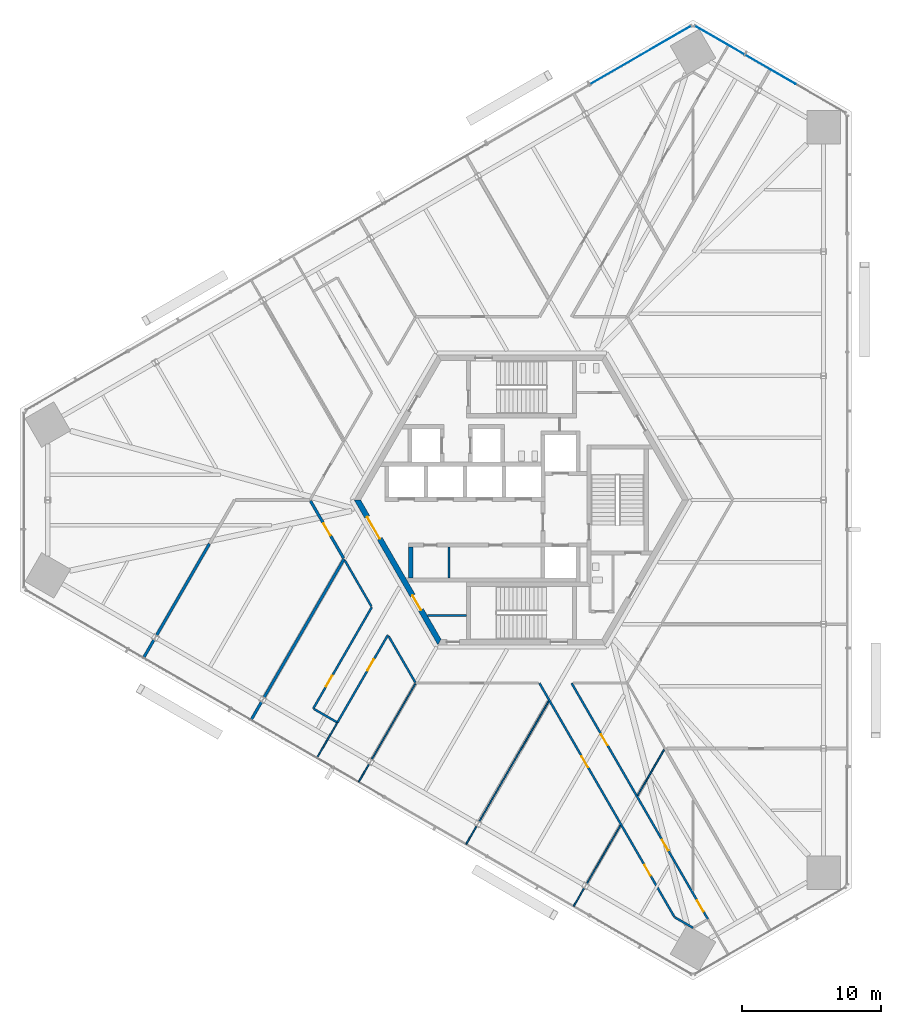
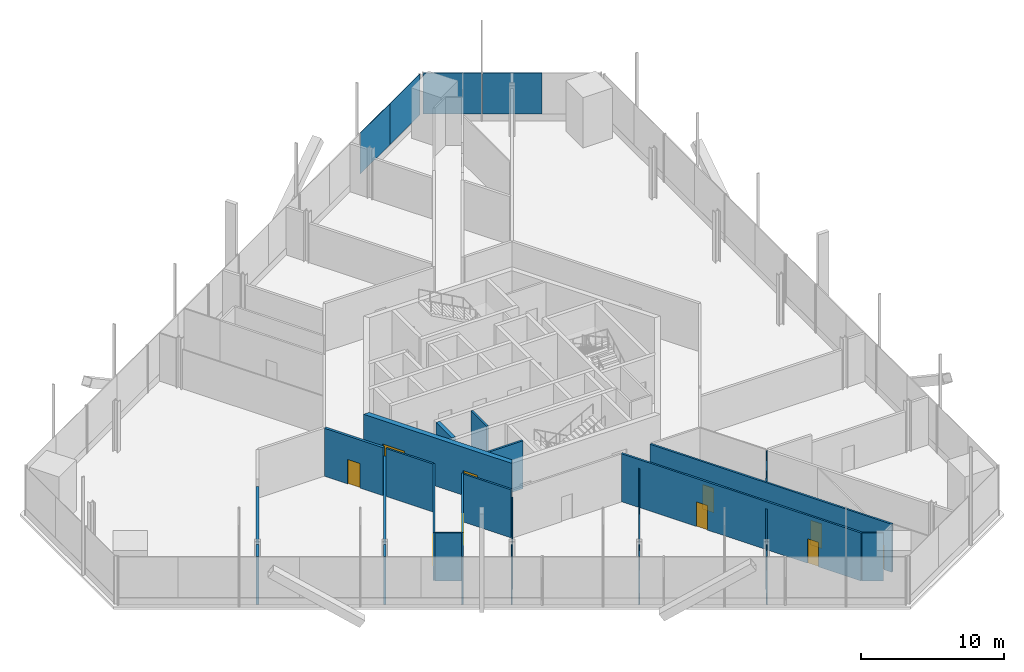
# One storey, part 10 of 19: 26 walls, 10 doors, 4 plates, 10 openings, 2 elements without a shape of their own.
"""IFC4 building model written with IfcOpenShell, lengths in metres."""

from ifc_helpers import new_model, si_unit, direction, frame, frame_2d, origin, origin_2d, place, context, subcontext, project, spatial, polyline, rectangle, outline, extrude, source, transform, mapped, material, layer, layer_set, type_object, element, fill, aggregate, save


model = new_model("IFC4")

# Units and contexts
model_context = context("Model", 3, precision=1e-05, world=origin(), true_north=direction((0.0, 1.0)))
body_context = subcontext(model_context, "Body", "Model", "MODEL_VIEW")
ifc_project = project(units=[si_unit("LENGTHUNIT", "METRE"), si_unit("AREAUNIT", "SQUARE_METRE"), si_unit("VOLUMEUNIT", "CUBIC_METRE"), si_unit("PLANEANGLEUNIT", "RADIAN"), si_unit("MASSUNIT", "GRAM", prefix="KILO")], contexts=[model_context])

# Site, building, storey
site_placement = place(None, origin())
site = spatial("IfcSite", under=ifc_project, at=site_placement, CompositionType="ELEMENT")
building_placement = place(site_placement, origin())
building = spatial("IfcBuilding", under=site, at=building_placement, Name="Triune Harvest Tower", CompositionType="ELEMENT")
storey_placement = place(building_placement, frame((0.0, 0.0, 41.800048828125)))
storey = spatial("IfcBuildingStorey", under=building, at=storey_placement, Name="L09", CompositionType="ELEMENT", Elevation=41.800048828125)

# Curtain wall, plates
ifc_material_1 = material(Name="Aluminium bronze anodised", Category="aluminium")
curtain_wall_type = type_object("IfcCurtainWallType", Name="CW-3 Farm floor curtain wall", PredefinedType="NOTDEFINED", material=ifc_material_1)
curtain_wall_1_placement = place(storey_placement, origin())
curtain_wall_1 = element("IfcCurtainWall", 1, at=curtain_wall_1_placement, inside=storey, type_object=curtain_wall_type, Name="CW-3 B1-F2 L09 run 1")
ifc_material_2 = material(Name="Glass", Category="glass")
ifc_layer_1 = layer(ifc_material_2, 0.035888671875)
ifc_layer_set_1 = layer_set([ifc_layer_1], Name="Glass")
plate_type = type_object("IfcPlateType", Name="GL-3 panel 36", PredefinedType="CURTAIN_PANEL", material=ifc_layer_set_1)
shared_shape_1 = source(origin(), body_context, "Body", "SweptSolid", [
    extrude(rectangle(XDim=4.157958984375, YDim=0.035888671875, at=origin_2d()), origin(), (0.0, 0.0, 1.0), 3.5),
])
plate_1_placement = place(storey_placement, frame((17.857666015625, 30.89013671875, 0.599853515625), z_axis=(0.0, 0.0, 1.0), x_axis=(-0.866026145592, 0.499998715149, 0.0)))
plate_1 = element("IfcPlate", 2, at=plate_1_placement, type_object=plate_type, Name="CW-3 panel B1-F2 1.2", PredefinedType="CURTAIN_PANEL", context=body_context, shape_type="MappedRepresentation", body=[
    mapped(shared_shape_1, transform((0.0, 0.0, 0.0), scale=1.0)),
])
shared_shape_2 = source(origin(), body_context, "Body", "SweptSolid", [
    extrude(rectangle(XDim=4.077880859375, YDim=0.035888671875, at=origin_2d()), origin(), (0.0, 0.0, 1.0), 3.5),
])
plate_2_placement = place(storey_placement, frame((14.22216796875, 32.989013671875, 0.599853515625), z_axis=(0.0, 0.0, 1.0), x_axis=(-0.866026145592, 0.499998715149, 0.0)))
plate_2 = element("IfcPlate", 3, at=plate_2_placement, type_object=plate_type, Name="CW-3 panel B1-F2 1.3", PredefinedType="CURTAIN_PANEL", context=body_context, shape_type="MappedRepresentation", body=[
    mapped(shared_shape_2, transform((0.0, 0.0, 0.0), scale=1.0)),
])
aggregate(curtain_wall_1, [plate_1, plate_2])

curtain_wall_2_placement = place(storey_placement, origin())
curtain_wall_2 = element("IfcCurtainWall", 4, at=curtain_wall_2_placement, inside=storey, type_object=curtain_wall_type, Name="CW-3 B1-F3 L09 run 1")
shared_shape_3 = source(origin(), body_context, "Body", "SweptSolid", [
    extrude(rectangle(XDim=4.168701171875, YDim=0.035888671875, at=origin_2d()), origin(), (0.0, 0.0, 1.0), 3.5),
])
plate_3_placement = place(storey_placement, frame((10.356689453125, 32.96630859375, 0.599853515625), z_axis=(0.0, 0.0, 1.0), x_axis=(-0.866028152342, -0.499995239328, 0.0)))
plate_3 = element("IfcPlate", 5, at=plate_3_placement, type_object=plate_type, Name="CW-3 panel B1-F3 1.1", PredefinedType="CURTAIN_PANEL", context=body_context, shape_type="MappedRepresentation", body=[
    mapped(shared_shape_3, transform((0.0, 0.0, 0.0), scale=1.0)),
])
plate_4_placement = place(storey_placement, frame((6.74658203125, 30.882080078125, 0.599853515625), z_axis=(0.0, 0.0, 1.0), x_axis=(-0.866028152342, -0.499995239328, 0.0)))
plate_4 = element("IfcPlate", 6, at=plate_4_placement, type_object=plate_type, Name="CW-3 panel B1-F3 1.2", PredefinedType="CURTAIN_PANEL", context=body_context, shape_type="MappedRepresentation", body=[
    mapped(shared_shape_3, transform((0.0, 0.0, 0.0), scale=1.0)),
])
aggregate(curtain_wall_2, [plate_3, plate_4])

# Walls
ifc_material_3 = material(Name="Gypsum board on steel studs", Category="steel")
ifc_layer_2 = layer(ifc_material_3, 0.14990234375)
ifc_layer_set_2 = layer_set([ifc_layer_2], Name="Gypsum board on steel studs")
wall_type_1 = type_object("IfcWallType", Name="Fire Partition 150 mm", PredefinedType="PARTITIONING", material=ifc_layer_set_2)
wall_1_placement = place(storey_placement, frame((-12.665283203125, -4.347900390625, 0.0), z_axis=(0.0, 0.0, 1.0), x_axis=(0.500009333805, -0.866020014843, 0.0)))
element("IfcWall", 7, at=wall_1_placement, inside=storey, type_object=wall_type_1, Name="Partition L09 002", PredefinedType="PARTITIONING", context=body_context, shape_type="SweptSolid", body=[
    extrude(rectangle(XDim=3.80615234375, YDim=0.14990234375, at=frame_2d((1.903076171875, 0.0))), origin(), (0.0, 0.0, 1.0), 4.099853515625),
])
wall_2_placement = place(storey_placement, frame((-9.52734375, -9.78271484375, 0.0), z_axis=(0.0, 0.0, 1.0), x_axis=(0.500013098431, -0.86601784127, 0.0)))
element("IfcWall", 8, at=wall_2_placement, inside=storey, type_object=wall_type_1, Name="Partition L09 003", PredefinedType="PARTITIONING", context=body_context, shape_type="SweptSolid", body=[
    extrude(rectangle(XDim=3.82958984375, YDim=0.14990234375, at=frame_2d((1.914794921875, 0.0))), origin(), (0.0, 0.0, 1.0), 4.099853515625),
])

# Wall, openings, doors
wall_3_placement = place(storey_placement, frame((1.288818359375, -13.142333984375, 0.0), z_axis=(0.0, 0.0, 1.0), x_axis=(0.500002274473, -0.866024090613, 0.0)))
wall_3 = element("IfcWall", 9, at=wall_3_placement, inside=storey, type_object=wall_type_1, Name="Partition L09 008", PredefinedType="PARTITIONING", context=body_context, shape_type="SweptSolid", body=[
    extrude(rectangle(XDim=19.384765625, YDim=0.14990234375, at=frame_2d((9.6923828125, 0.0))), origin(), (0.0, 0.0, 1.0), 4.099853515625),
])
opening_1_placement = place(wall_3_placement, frame((6.061767578125, 0.0, 0.0)))
opening_1 = element("IfcOpeningElement", 10, at=opening_1_placement, cuts=wall_3, Name="Opening L09-017", PredefinedType="OPENING", context=body_context, shape_type="SweptSolid", body=[
    extrude(rectangle(XDim=0.89990234375, YDim=2.10009765625, at=frame_2d((0.449951171875, 1.050048828125))), frame((0.0, 0.0849609375, 0.0), z_axis=(0.0, -1.0, 0.0), x_axis=(1.0, 0.0, 0.0)), (0.0, 0.0, 1.0), 0.169921875),
])
opening_2_placement = place(wall_3_placement, frame((15.05029296875, 0.0, 0.0)))
opening_2 = element("IfcOpeningElement", 11, at=opening_2_placement, cuts=wall_3, Name="Opening L09-019", PredefinedType="OPENING", context=body_context, shape_type="SweptSolid", body=[
    extrude(rectangle(XDim=0.89990234375, YDim=2.10009765625, at=frame_2d((0.449951171875, 1.050048828125))), frame((0.0, 0.0849609375, 0.0), z_axis=(0.0, -1.0, 0.0), x_axis=(1.0, 0.0, 0.0)), (0.0, 0.0, 1.0), 0.169921875),
])
ifc_material_4 = material(Name="Timber and steel door set", Category="steel")
door_type_1 = type_object("IfcDoorType", Name="Single leaf door FD30 left hand 900 x 2100", OperationType="SINGLE_SWING_LEFT", PredefinedType="DOOR", material=ifc_material_4)
door_1_placement = place(opening_2_placement, origin())
door_1 = element("IfcDoor", 12, at=door_1_placement, inside=storey, type_object=door_type_1, Name="Door L09-019 Laboratory 09.19", OperationType="SINGLE_SWING_LEFT", OverallHeight=2.10009765625, OverallWidth=0.89990234375, PredefinedType="DOOR", context=body_context, shape_type="SweptSolid", body=[
    extrude(rectangle(XDim=0.89990234375, YDim=2.10009765625, at=frame_2d((0.449951171875, 1.050048828125))), frame((0.0, 0.02490234375, 0.0), z_axis=(0.0, -1.0, 0.0), x_axis=(1.0, 0.0, 0.0)), (0.0, 0.0, 1.0), 0.050048828125),
])
fill(opening_2, door_1)
ifc_material_5 = material(Name="Timber and steel door set", Category="steel")
door_type_2 = type_object("IfcDoorType", Name="Single leaf door FD30 right hand 900 x 2100", OperationType="SINGLE_SWING_RIGHT", PredefinedType="DOOR", material=ifc_material_5)
door_2_placement = place(opening_1_placement, origin())
door_2 = element("IfcDoor", 13, at=door_2_placement, inside=storey, type_object=door_type_2, Name="Door L09-017 Packing Room 09.17", OperationType="SINGLE_SWING_RIGHT", OverallHeight=2.10009765625, OverallWidth=0.89990234375, PredefinedType="DOOR", context=body_context, shape_type="SweptSolid", body=[
    extrude(rectangle(XDim=0.89990234375, YDim=2.10009765625, at=frame_2d((0.449951171875, 1.050048828125))), frame((0.0, 0.02490234375, 0.0), z_axis=(0.0, -1.0, 0.0), x_axis=(1.0, 0.0, 0.0)), (0.0, 0.0, 1.0), 0.050048828125),
])
fill(opening_1, door_2)

wall_4_placement = place(storey_placement, frame((3.598388671875, -13.14208984375, 0.0), z_axis=(0.0, 0.0, 1.0), x_axis=(0.499992232847, -0.866029888106, 0.0)))
wall_4 = element("IfcWall", 14, at=wall_4_placement, inside=storey, type_object=wall_type_1, Name="Partition L09 010", PredefinedType="PARTITIONING", context=body_context, shape_type="SweptSolid", body=[
    extrude(rectangle(XDim=19.557861328125, YDim=0.14990234375, at=frame_2d((9.77880859375, 0.0))), origin(), (0.0, 0.0, 1.0), 4.099853515625),
])
opening_3_placement = place(wall_4_placement, frame((4.24072265625, 0.0, 0.0)))
opening_3 = element("IfcOpeningElement", 15, at=opening_3_placement, cuts=wall_4, Name="Opening L09-018", PredefinedType="OPENING", context=body_context, shape_type="SweptSolid", body=[
    extrude(rectangle(XDim=0.89990234375, YDim=2.10009765625, at=frame_2d((0.449951171875, 1.050048828125))), frame((0.0, 0.0849609375, 0.0), z_axis=(0.0, -1.0, 0.0), x_axis=(1.0, 0.0, 0.0)), (0.0, 0.0, 1.0), 0.169921875),
])
opening_4_placement = place(wall_4_placement, frame((12.9716796875, 0.0, 0.0)))
opening_4 = element("IfcOpeningElement", 16, at=opening_4_placement, cuts=wall_4, Name="Opening L09-020", PredefinedType="OPENING", context=body_context, shape_type="SweptSolid", body=[
    extrude(rectangle(XDim=0.89990234375, YDim=2.10009765625, at=frame_2d((0.449951171875, 1.050048828125))), frame((0.0, 0.0849609375, 0.0), z_axis=(0.0, -1.0, 0.0), x_axis=(1.0, 0.0, 0.0)), (0.0, 0.0, 1.0), 0.169921875),
])
opening_5_placement = place(wall_4_placement, frame((18.01806640625, 0.0, 0.0)))
opening_5 = element("IfcOpeningElement", 17, at=opening_5_placement, cuts=wall_4, Name="Opening L09-021", PredefinedType="OPENING", context=body_context, shape_type="SweptSolid", body=[
    extrude(rectangle(XDim=0.89990234375, YDim=2.10009765625, at=frame_2d((0.449951171875, 1.050048828125))), frame((0.0, 0.0849609375, 0.0), z_axis=(0.0, -1.0, 0.0), x_axis=(1.0, 0.0, 0.0)), (0.0, 0.0, 1.0), 0.169921875),
])
door_3_placement = place(opening_3_placement, origin())
door_3 = element("IfcDoor", 18, at=door_3_placement, inside=storey, type_object=door_type_1, Name="Door L09-018 Packing Room 09.18", OperationType="SINGLE_SWING_LEFT", OverallHeight=2.10009765625, OverallWidth=0.89990234375, PredefinedType="DOOR", context=body_context, shape_type="SweptSolid", body=[
    extrude(rectangle(XDim=0.89990234375, YDim=2.10009765625, at=frame_2d((0.449951171875, 1.050048828125))), frame((0.0, 0.02490234375, 0.0), z_axis=(0.0, -1.0, 0.0), x_axis=(1.0, 0.0, 0.0)), (0.0, 0.0, 1.0), 0.050048828125),
])
fill(opening_3, door_3)
door_4_placement = place(opening_4_placement, origin())
door_4 = element("IfcDoor", 19, at=door_4_placement, inside=storey, type_object=door_type_2, Name="Door L09-020 Dry Store Room 09.20", OperationType="SINGLE_SWING_RIGHT", OverallHeight=2.10009765625, OverallWidth=0.89990234375, PredefinedType="DOOR", context=body_context, shape_type="SweptSolid", body=[
    extrude(rectangle(XDim=0.89990234375, YDim=2.10009765625, at=frame_2d((0.449951171875, 1.050048828125))), frame((0.0, 0.02490234375, 0.0), z_axis=(0.0, -1.0, 0.0), x_axis=(1.0, 0.0, 0.0)), (0.0, 0.0, 1.0), 0.050048828125),
])
fill(opening_4, door_4)
door_5_placement = place(opening_5_placement, origin())
door_5 = element("IfcDoor", 20, at=door_5_placement, inside=storey, type_object=door_type_2, Name="Door L09-021 Packing Room 09.21", OperationType="SINGLE_SWING_RIGHT", OverallHeight=2.10009765625, OverallWidth=0.89990234375, PredefinedType="DOOR", context=body_context, shape_type="SweptSolid", body=[
    extrude(rectangle(XDim=0.89990234375, YDim=2.10009765625, at=frame_2d((0.449951171875, 1.050048828125))), frame((0.0, 0.02490234375, 0.0), z_axis=(0.0, -1.0, 0.0), x_axis=(1.0, 0.0, 0.0)), (0.0, 0.0, 1.0), 0.050048828125),
])
fill(opening_5, door_5)

# Wall, opening, door
wall_5_placement = place(storey_placement, frame((-14.938720703125, -14.965087890625, 0.0), z_axis=(0.0, 0.0, 1.0), x_axis=(0.499994897466, 0.866028349714, 0.0)))
wall_5 = element("IfcWall", 21, at=wall_5_placement, inside=storey, type_object=wall_type_1, Name="Partition L09 054", PredefinedType="PARTITIONING", context=body_context, shape_type="SweptSolid", body=[
    extrude(rectangle(XDim=8.4033203125, YDim=0.14990234375, at=frame_2d((4.20166015625, 0.0))), origin(), (0.0, 0.0, 1.0), 4.099853515625),
])
opening_6_placement = place(wall_5_placement, frame((1.82568359375, 0.0, 0.0)))
opening_6 = element("IfcOpeningElement", 22, at=opening_6_placement, cuts=wall_5, Name="Opening L09-014", PredefinedType="OPENING", context=body_context, shape_type="SweptSolid", body=[
    extrude(rectangle(XDim=0.89990234375, YDim=2.10009765625, at=frame_2d((0.449951171875, 1.050048828125))), frame((0.0, 0.0849609375, 0.0), z_axis=(0.0, -1.0, 0.0), x_axis=(1.0, 0.0, 0.0)), (0.0, 0.0, 1.0), 0.169921875),
])
door_6_placement = place(opening_6_placement, origin())
door_6 = element("IfcDoor", 23, at=door_6_placement, inside=storey, type_object=door_type_1, Name="Door L09-014 Dry Store Room 09.14", OperationType="SINGLE_SWING_LEFT", OverallHeight=2.10009765625, OverallWidth=0.89990234375, PredefinedType="DOOR", context=body_context, shape_type="SweptSolid", body=[
    extrude(rectangle(XDim=0.89990234375, YDim=2.10009765625, at=frame_2d((0.449951171875, 1.050048828125))), frame((0.0, 0.02490234375, 0.0), z_axis=(0.0, -1.0, 0.0), x_axis=(1.0, 0.0, 0.0)), (0.0, 0.0, 1.0), 0.050048828125),
])
fill(opening_6, door_6)

ifc_material_6 = material(Name="Gypsum board on steel studs", Category="steel")
ifc_layer_3 = layer(ifc_material_6, 0.199951171875)
ifc_layer_set_3 = layer_set([ifc_layer_3], Name="Gypsum board on steel studs")
wall_type_2 = type_object("IfcWallType", Name="Fire Wall 200 mm", PredefinedType="PARTITIONING", material=ifc_layer_set_3)
wall_6_placement = place(storey_placement, frame((-15.140380859375, -0.060546875, 0.0), z_axis=(0.0, 0.0, 1.0), x_axis=(0.500002721793, -0.866023832351, 0.0)))
wall_6 = element("IfcWall", 24, at=wall_6_placement, inside=storey, type_object=wall_type_2, Name="Partition L09 001", PredefinedType="PARTITIONING", context=body_context, shape_type="SweptSolid", body=[
    extrude(rectangle(XDim=4.75048828125, YDim=0.199951171875, at=frame_2d((2.375244140625, 0.0))), origin(), (0.0, 0.0, 1.0), 4.099853515625),
])
opening_7_placement = place(wall_6_placement, frame((1.880126953125, 0.0, 0.0)))
opening_7 = element("IfcOpeningElement", 25, at=opening_7_placement, cuts=wall_6, Name="Opening L09-013", PredefinedType="OPENING", context=body_context, shape_type="SweptSolid", body=[
    extrude(rectangle(XDim=1.0, YDim=2.10009765625, at=frame_2d((0.5, 1.050048828125))), frame((0.0, 0.10986328125, 0.0), z_axis=(0.0, -1.0, 0.0), x_axis=(1.0, 0.0, 0.0)), (0.0, 0.0, 1.0), 0.219970703125),
])
ifc_material_7 = material(Name="Timber and steel door set", Category="steel")
door_type_3 = type_object("IfcDoorType", Name="Wide single leaf door FD60 left hand 1000 x 2100", OperationType="SINGLE_SWING_LEFT", PredefinedType="DOOR", material=ifc_material_7)
door_7_placement = place(opening_7_placement, origin())
door_7 = element("IfcDoor", 26, at=door_7_placement, inside=storey, type_object=door_type_3, Name="Door L09-013 Strawberry Growing Room 09.13", OperationType="SINGLE_SWING_LEFT", OverallHeight=2.10009765625, OverallWidth=1.0, PredefinedType="DOOR", context=body_context, shape_type="SweptSolid", body=[
    extrude(rectangle(XDim=1.0, YDim=2.10009765625, at=frame_2d((0.5, 1.050048828125))), frame((0.0, 0.02490234375, 0.0), z_axis=(0.0, -1.0, 0.0), x_axis=(1.0, 0.0, 0.0)), (0.0, 0.0, 1.0), 0.050048828125),
])
fill(opening_7, door_7)

# Walls
ifc_material_8 = material(Name="Gypsum board on steel studs", Category="steel")
ifc_layer_4 = layer(ifc_material_8, 0.10009765625)
ifc_layer_set_4 = layer_set([ifc_layer_4], Name="Gypsum board on steel studs")
wall_type_3 = type_object("IfcWallType", Name="Partition 100 mm", PredefinedType="PARTITIONING", material=ifc_layer_set_4)
wall_7_placement = place(storey_placement, frame((3.74658203125, -29.150390625, 0.0), z_axis=(0.0, 0.0, 1.0), x_axis=(0.500027927039, 0.866009279501, 0.0)))
element("IfcWall", 27, at=wall_7_placement, inside=storey, type_object=wall_type_3, Name="Partition L09 038", PredefinedType="PARTITIONING", context=body_context, shape_type="SweptSolid", body=[
    extrude(rectangle(XDim=1.4990234375, YDim=0.10009765625, at=frame_2d((0.74951171875, 0.0))), origin(), (0.0, 0.0, 1.0), 4.099853515625),
])
wall_8_placement = place(storey_placement, frame((8.968017578125, -20.106689453125, 0.0), z_axis=(0.0, 0.0, 1.0), x_axis=(0.500066192889, 0.865987183929, 0.0)))
element("IfcWall", 28, at=wall_8_placement, inside=storey, type_object=wall_type_3, Name="Partition L09 040a", PredefinedType="PARTITIONING", context=body_context, shape_type="SweptSolid", body=[
    extrude(rectangle(XDim=2.520751953125, YDim=0.10009765625, at=frame_2d((1.26025390625, 0.0))), origin(), (0.0, 0.0, 1.0), 4.099853515625),
])
wall_9_placement = place(storey_placement, frame((-14.677490234375, -18.5126953125, 0.0), z_axis=(0.0, 0.0, 1.0), x_axis=(0.499959535909, 0.866048764478, 0.0)))
element("IfcWall", 29, at=wall_9_placement, inside=storey, type_object=wall_type_3, Name="Partition L09 049", PredefinedType="PARTITIONING", context=body_context, shape_type="SweptSolid", body=[
    extrude(rectangle(XDim=2.941650390625, YDim=0.10009765625, at=frame_2d((1.470703125, 0.0))), origin(), (0.0, 0.0, 1.0), 4.099853515625),
])

# Wall, openings, doors
ifc_material_9 = material(Name="Concrete 70 MPa", Category="concrete")
ifc_layer_5 = layer(ifc_material_9, 0.39990234375)
ifc_layer_set_5 = layer_set([ifc_layer_5], Name="Concrete 70 MPa")
wall_type_4 = type_object("IfcWallType", Name="Core wall 400", PredefinedType="SHEAR", material=ifc_layer_set_5)
shared_shape_4 = source(origin(), body_context, "Body", "SweptSolid", [
    extrude(outline(polyline([(-0.115478515625, -0.199951171875), (11.884521484375, -0.199951171875), (11.653564453125, 0.199951171875), (0.115478515625, 0.199951171875), (-0.115478515625, -0.199951171875)])), origin(), (0.0, 0.0, 1.0), 4.099853515625),
])
wall_10_placement = place(storey_placement, frame((-11.76904296875, 0.0, 0.0), z_axis=(0.0, 0.0, 1.0), x_axis=(0.499996592174, -0.866027371285, 0.0)))
wall_10 = element("IfcWall", 30, at=wall_10_placement, inside=storey, type_object=wall_type_4, Name="Hexagon 3 wall", PredefinedType="SHEAR", context=body_context, shape_type="MappedRepresentation", body=[
    mapped(shared_shape_4, transform((0.0, 0.0, 0.0), scale=1.0)),
])
opening_8_placement = place(wall_10_placement, frame((1.404541015625, 0.0, 0.0)))
opening_8 = element("IfcOpeningElement", 31, at=opening_8_placement, cuts=wall_10, Name="Opening CD-LS", PredefinedType="OPENING", context=body_context, shape_type="SweptSolid", body=[
    extrude(rectangle(XDim=1.800048828125, YDim=2.10009765625, at=frame_2d((0.89990234375, 1.050048828125))), frame((0.0, 0.2099609375, 0.0), z_axis=(0.0, -1.0, 0.0), x_axis=(1.0, 0.0, 0.0)), (0.0, 0.0, 1.0), 0.419921875),
])
opening_9_placement = place(wall_10_placement, frame((7.91455078125, 0.0, 0.0)))
opening_9 = element("IfcOpeningElement", 32, at=opening_9_placement, cuts=wall_10, Name="Opening CD-SWP", PredefinedType="OPENING", context=body_context, shape_type="SweptSolid", body=[
    extrude(rectangle(XDim=1.199951171875, YDim=2.10009765625, at=frame_2d((0.60009765625, 1.050048828125))), frame((0.0, 0.2099609375, 0.0), z_axis=(0.0, -1.0, 0.0), x_axis=(1.0, 0.0, 0.0)), (0.0, 0.0, 1.0), 0.419921875),
])
ifc_material_10 = material(Name="Steel S235", Category="steel")
door_type_4 = type_object("IfcDoorType", Name="Lobby door 1800 FD120", OperationType="DOUBLE_DOOR_DOUBLE_SWING", PredefinedType="DOOR", material=ifc_material_10)
door_8_placement = place(opening_8_placement, frame((1.800048828125, 0.0, 0.0), z_axis=(0.0, 0.0, 1.0), x_axis=(-1.0, 0.0, 0.0)))
door_8 = element("IfcDoor", 33, at=door_8_placement, inside=storey, type_object=door_type_4, Name="Door CD-LS", OperationType="DOUBLE_DOOR_DOUBLE_SWING", OverallHeight=2.10009765625, OverallWidth=1.800048828125, PredefinedType="DOOR", context=body_context, shape_type="SweptSolid", body=[
    extrude(rectangle(XDim=1.800048828125, YDim=2.10009765625, at=frame_2d((0.89990234375, 1.050048828125))), frame((0.0, 0.02490234375, 0.0), z_axis=(0.0, -1.0, 0.0), x_axis=(1.0, 0.0, 0.0)), (0.0, 0.0, 1.0), 0.050048828125),
])
fill(opening_8, door_8)
ifc_material_11 = material(Name="Steel S235", Category="steel")
door_type_5 = type_object("IfcDoorType", Name="Service door 1200 FD120", OperationType="SINGLE_SWING_LEFT", PredefinedType="DOOR", material=ifc_material_11)
door_9_placement = place(opening_9_placement, frame((1.199951171875, 0.0, 0.0), z_axis=(0.0, 0.0, 1.0), x_axis=(-1.0, 0.0, 0.0)))
door_9 = element("IfcDoor", 34, at=door_9_placement, inside=storey, type_object=door_type_5, Name="Door CD-SWP", OperationType="SINGLE_SWING_RIGHT", OverallHeight=2.10009765625, OverallWidth=1.199951171875, PredefinedType="DOOR", context=body_context, shape_type="SweptSolid", body=[
    extrude(rectangle(XDim=1.199951171875, YDim=2.10009765625, at=frame_2d((0.60009765625, 1.050048828125))), frame((0.0, 0.02490234375, 0.0), z_axis=(0.0, -1.0, 0.0), x_axis=(1.0, 0.0, 0.0)), (0.0, 0.0, 1.0), 0.050048828125),
])
fill(opening_9, door_9)

# Walls
ifc_material_12 = material(Name="Concrete 70 MPa", Category="concrete")
ifc_layer_6 = layer(ifc_material_12, 0.300048828125)
ifc_layer_set_6 = layer_set([ifc_layer_6], Name="Concrete 70 MPa")
wall_type_5 = type_object("IfcWallType", Name="Core wall 300", PredefinedType="SHEAR", material=ifc_layer_set_6)
shared_shape_5 = source(origin(), body_context, "Body", "SweptSolid", [
    extrude(rectangle(XDim=2.2001953125, YDim=0.300048828125, at=frame_2d((1.10009765625, 0.0))), origin(), (0.0, 0.0, 1.0), 4.099853515625),
])
wall_11_placement = place(storey_placement, frame((-7.949951171875, -5.590087890625, 0.0), z_axis=(0.0, 0.0, 1.0), x_axis=(0.0, 1.0, 0.0)))
element("IfcWall", 35, at=wall_11_placement, inside=storey, type_object=wall_type_5, Name="South end west wall", PredefinedType="SHEAR", context=body_context, shape_type="MappedRepresentation", body=[
    mapped(shared_shape_5, transform((0.0, 0.0, 0.0), scale=1.0)),
])
ifc_material_13 = material(Name="Concrete masonry unit", Category="masonry")
ifc_layer_7 = layer(ifc_material_13, 0.14990234375)
ifc_layer_set_7 = layer_set([ifc_layer_7], Name="Concrete masonry unit")
wall_type_6 = type_object("IfcWallType", Name="Block partition 150", PredefinedType="PARTITIONING", material=ifc_layer_set_7)
shared_shape_6 = source(origin(), body_context, "Body", "SweptSolid", [
    extrude(rectangle(XDim=2.2001953125, YDim=0.14990234375, at=frame_2d((1.10009765625, 0.0))), origin(), (0.0, 0.0, 1.0), 4.099853515625),
])
wall_12_placement = place(storey_placement, frame((-5.199951171875, -5.590087890625, 0.0), z_axis=(0.0, 0.0, 1.0), x_axis=(0.0, 1.0, 0.0)))
element("IfcWall", 36, at=wall_12_placement, inside=storey, type_object=wall_type_6, Name="Row s part 1 wall", PredefinedType="PARTITIONING", context=body_context, shape_type="MappedRepresentation", body=[
    mapped(shared_shape_6, transform((0.0, 0.0, 0.0), scale=1.0)),
])
shared_shape_7 = source(origin(), body_context, "Body", "SweptSolid", [
    extrude(rectangle(XDim=2.777099609375, YDim=0.14990234375, at=frame_2d((1.388671875, 0.0))), origin(), (0.0, 0.0, 1.0), 4.099853515625),
])
wall_13_placement = place(storey_placement, frame((-6.72705078125, -8.300048828125, 0.0), z_axis=(0.0, 0.0, 1.0), x_axis=(1.0, 0.0, 0.0)))
element("IfcWall", 37, at=wall_13_placement, inside=storey, type_object=wall_type_6, Name="Sw part wall", PredefinedType="PARTITIONING", context=body_context, shape_type="MappedRepresentation", body=[
    mapped(shared_shape_7, transform((0.0, 0.0, 0.0), scale=1.0)),
])
shared_shape_8 = source(origin(), body_context, "Body", "SweptSolid", [
    extrude(rectangle(XDim=7.568359375, YDim=0.199951171875, at=frame_2d((3.7841796875, 0.0))), origin(), (0.0, 0.0, 1.0), 3.48779296875),
])
wall_14_placement = place(storey_placement, frame((-26.17578125, -9.69775390625, 0.0), z_axis=(0.0, 0.0, 1.0), x_axis=(0.499997032024, 0.866027117339, 0.0)))
element("IfcWall", 38, at=wall_14_placement, inside=storey, type_object=wall_type_2, Name="Partition L09 062", PredefinedType="PARTITIONING", context=body_context, shape_type="MappedRepresentation", body=[
    mapped(shared_shape_8, transform((0.0, 0.0, 0.0), scale=1.0)),
])
shared_shape_9 = source(origin(), body_context, "Body", "SweptSolid", [
    extrude(rectangle(XDim=1.49853515625, YDim=0.199951171875, at=frame_2d((0.749267578125, 0.0))), origin(), (0.0, 0.0, 1.0), 4.099853515625),
])
for number, where, z_axis, x_axis, name in (
    (39, (-19.40185546875, -15.78515625, 0.0), (0.0, 0.0, 1.0), (0.499976292358, 0.866039090965, 0.0), "Partition L09 057"),
    (40, (-27.1181640625, -11.330078125, 0.0), (0.0, 0.0, 1.0), (0.499976292358, 0.866039090965, 0.0), "Partition L09 061"),
):
    element("IfcWall", number, at=place(storey_placement, frame(where, z_axis=z_axis, x_axis=x_axis)), inside=storey, type_object=wall_type_2, Name=name, PredefinedType="PARTITIONING", context=body_context, shape_type="MappedRepresentation", body=[
        mapped(shared_shape_9, transform((0.0, 0.0, 0.0), scale=1.0)),
    ])
shared_shape_10 = source(origin(), body_context, "Body", "SweptSolid", [
    extrude(rectangle(XDim=1.498779296875, YDim=0.10009765625, at=frame_2d((0.74951171875, 0.0))), origin(), (0.0, 0.0, 1.0), 4.099853515625),
])
wall_15_placement = place(storey_placement, frame((-3.969482421875, -24.6953125, 0.0), z_axis=(0.0, 0.0, 1.0), x_axis=(0.499905760005, 0.866079806435, 0.0)))
element("IfcWall", 41, at=wall_15_placement, inside=storey, type_object=wall_type_3, Name="Partition L09 043", PredefinedType="PARTITIONING", context=body_context, shape_type="MappedRepresentation", body=[
    mapped(shared_shape_10, transform((0.0, 0.0, 0.0), scale=1.0)),
])
shared_shape_11 = source(origin(), body_context, "Body", "SweptSolid", [
    extrude(rectangle(XDim=1.49853515625, YDim=0.10009765625, at=frame_2d((0.749267578125, 0.0))), origin(), (0.0, 0.0, 1.0), 4.099853515625),
])
wall_16_placement = place(storey_placement, frame((-11.685546875, -20.240234375, 0.0), z_axis=(0.0, 0.0, 1.0), x_axis=(0.499976292358, 0.866039090965, 0.0)))
element("IfcWall", 42, at=wall_16_placement, inside=storey, type_object=wall_type_3, Name="Partition L09 045", PredefinedType="PARTITIONING", context=body_context, shape_type="MappedRepresentation", body=[
    mapped(shared_shape_11, transform((0.0, 0.0, 0.0), scale=1.0)),
])
shared_shape_12 = source(origin(), body_context, "Body", "SweptSolid", [
    extrude(rectangle(XDim=4.808837890625, YDim=0.10009765625, at=frame_2d((2.404296875, 0.0))), origin(), (0.0, 0.0, 1.0), 3.48779296875),
])
wall_17_placement = place(storey_placement, frame((4.689453125, -27.517578125, 0.0), z_axis=(0.0, 0.0, 1.0), x_axis=(0.499983211839, 0.866035096217, 0.0)))
element("IfcWall", 43, at=wall_17_placement, inside=storey, type_object=wall_type_3, Name="Partition L09 039", PredefinedType="PARTITIONING", context=body_context, shape_type="MappedRepresentation", body=[
    mapped(shared_shape_12, transform((0.0, 0.0, 0.0), scale=1.0)),
])
shared_shape_13 = source(origin(), body_context, "Body", "SweptSolid", [
    extrude(rectangle(XDim=1.259033203125, YDim=0.10009765625, at=frame_2d((0.62939453125, 0.0))), origin(), (0.0, 0.0, 1.0), 3.48779296875),
])
wall_18_placement = place(storey_placement, frame((8.338623046875, -21.197021484375, 0.0), z_axis=(0.0, 0.0, 1.0), x_axis=(0.499935087192, 0.866062877968, 0.0)))
element("IfcWall", 44, at=wall_18_placement, inside=storey, type_object=wall_type_3, Name="Partition L09 040", PredefinedType="PARTITIONING", context=body_context, shape_type="MappedRepresentation", body=[
    mapped(shared_shape_13, transform((0.0, 0.0, 0.0), scale=1.0)),
])
shared_shape_14 = source(origin(), body_context, "Body", "SweptSolid", [
    extrude(rectangle(XDim=9.953369140625, YDim=0.10009765625, at=frame_2d((4.9765625, 0.0))), origin(), (0.0, 0.0, 1.0), 3.343017578125),
])
wall_19_placement = place(storey_placement, frame((-3.02685546875, -23.062744140625, 0.0), z_axis=(0.0, 0.0, 1.0), x_axis=(0.499990692214, 0.866030777571, 0.0)))
element("IfcWall", 45, at=wall_19_placement, inside=storey, type_object=wall_type_3, Name="Partition L09 044", PredefinedType="PARTITIONING", context=body_context, shape_type="MappedRepresentation", body=[
    mapped(shared_shape_14, transform((0.0, 0.0, 0.0), scale=1.0)),
])
shared_shape_15 = source(origin(), body_context, "Body", "SweptSolid", [
    extrude(rectangle(XDim=6.270751953125, YDim=0.10009765625, at=frame_2d((3.13525390625, 0.0))), origin(), (0.0, 0.0, 1.0), 3.48779296875),
])
wall_20_placement = place(storey_placement, frame((-10.7431640625, -18.607666015625, 0.0), z_axis=(0.0, 0.0, 1.0), x_axis=(0.500012281615, 0.866018312875, 0.0)))
element("IfcWall", 46, at=wall_20_placement, inside=storey, type_object=wall_type_3, Name="Partition L09 046", PredefinedType="PARTITIONING", context=body_context, shape_type="MappedRepresentation", body=[
    mapped(shared_shape_15, transform((0.0, 0.0, 0.0), scale=1.0)),
])
shared_shape_16 = source(origin(), body_context, "Body", "SweptSolid", [
    extrude(rectangle(XDim=11.454833984375, YDim=0.199951171875, at=frame_2d((5.7275390625, 0.0))), origin(), (0.0, 0.0, 1.0), 3.343017578125),
])
wall_21_placement = place(storey_placement, frame((-18.45947265625, -14.152587890625, 0.0), z_axis=(0.0, 0.0, 1.0), x_axis=(0.500008416231, 0.866020544617, 0.0)))
element("IfcWall", 47, at=wall_21_placement, inside=storey, type_object=wall_type_2, Name="Partition L09 058", PredefinedType="PARTITIONING", context=body_context, shape_type="MappedRepresentation", body=[
    mapped(shared_shape_16, transform((0.0, 0.0, 0.0), scale=1.0)),
])

# Wall, opening, door
shared_shape_17 = source(origin(), body_context, "Body", "SweptSolid", [
    extrude(rectangle(XDim=7.248779296875, YDim=0.14990234375, at=frame_2d((3.62451171875, 0.0))), origin(), (0.0, 0.0, 1.0), 4.099853515625),
])
wall_22_placement = place(storey_placement, frame((-13.206787109375, -15.965087890625, 0.0), z_axis=(0.0, 0.0, 1.0), x_axis=(0.500014967241, 0.866016762271, 0.0)))
wall_22 = element("IfcWall", 48, at=wall_22_placement, inside=storey, type_object=wall_type_1, Name="Partition L09 050", PredefinedType="PARTITIONING", context=body_context, shape_type="MappedRepresentation", body=[
    mapped(shared_shape_17, transform((0.0, 0.0, 0.0), scale=1.0)),
])
opening_10_placement = place(wall_22_placement, frame((4.3095703125, 0.0, 0.0)))
opening_10 = element("IfcOpeningElement", 49, at=opening_10_placement, cuts=wall_22, Name="Opening L09-015", PredefinedType="OPENING", context=body_context, shape_type="SweptSolid", body=[
    extrude(rectangle(XDim=0.89990234375, YDim=2.10009765625, at=frame_2d((0.449951171875, 1.050048828125))), frame((0.0, 0.0849609375, 0.0), z_axis=(0.0, -1.0, 0.0), x_axis=(1.0, 0.0, 0.0)), (0.0, 0.0, 1.0), 0.169921875),
])
door_10_placement = place(opening_10_placement, origin())
door_10 = element("IfcDoor", 50, at=door_10_placement, inside=storey, type_object=door_type_1, Name="Door L09-015 Packing Room 09.15", OperationType="SINGLE_SWING_LEFT", OverallHeight=2.10009765625, OverallWidth=0.89990234375, PredefinedType="DOOR", context=body_context, shape_type="SweptSolid", body=[
    extrude(rectangle(XDim=0.89990234375, YDim=2.10009765625, at=frame_2d((0.449951171875, 1.050048828125))), frame((0.0, 0.02490234375, 0.0), z_axis=(0.0, -1.0, 0.0), x_axis=(1.0, 0.0, 0.0)), (0.0, 0.0, 1.0), 0.050048828125),
])
fill(opening_10, door_10)

# Walls
shared_shape_18 = source(origin(), body_context, "Body", "SweptSolid", [
    extrude(rectangle(XDim=1.889892578125, YDim=0.14990234375, at=frame_2d((0.94482421875, 0.0))), origin(), (0.0, 0.0, 1.0), 4.099853515625),
])
wall_23_placement = place(storey_placement, frame((-14.8955078125, -14.99072265625, 0.0), z_axis=(0.0, 0.0, 1.0), x_axis=(0.866000578957, -0.500042995397, 0.0)))
element("IfcWall", 51, at=wall_23_placement, inside=storey, type_object=wall_type_1, Name="Partition L09 023", PredefinedType="PARTITIONING", context=body_context, shape_type="MappedRepresentation", body=[
    mapped(shared_shape_18, transform((0.0, 0.0, 0.0), scale=1.0)),
])
shared_shape_19 = source(origin(), body_context, "Body", "SweptSolid", [
    extrude(rectangle(XDim=1.51318359375, YDim=0.14990234375, at=frame_2d((0.756591796875, 0.0))), origin(), (0.0, 0.0, 1.0), 4.099853515625),
])
wall_24_placement = place(storey_placement, frame((10.998046875, -29.93994140625, 0.0), z_axis=(0.0, 0.0, 1.0), x_axis=(0.866040510187, -0.49997383403, 0.0)))
element("IfcWall", 52, at=wall_24_placement, inside=storey, type_object=wall_type_1, Name="Partition L09 024", PredefinedType="PARTITIONING", context=body_context, shape_type="MappedRepresentation", body=[
    mapped(shared_shape_19, transform((0.0, 0.0, 0.0), scale=1.0)),
])

save(model, "model.ifc")
